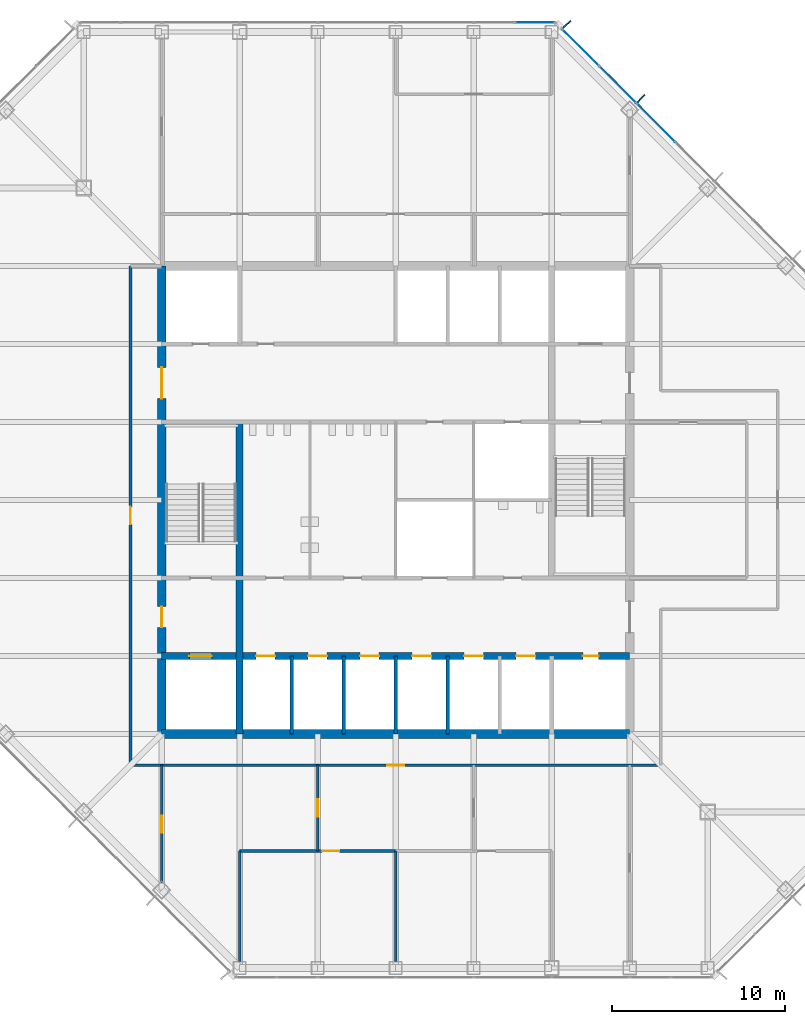
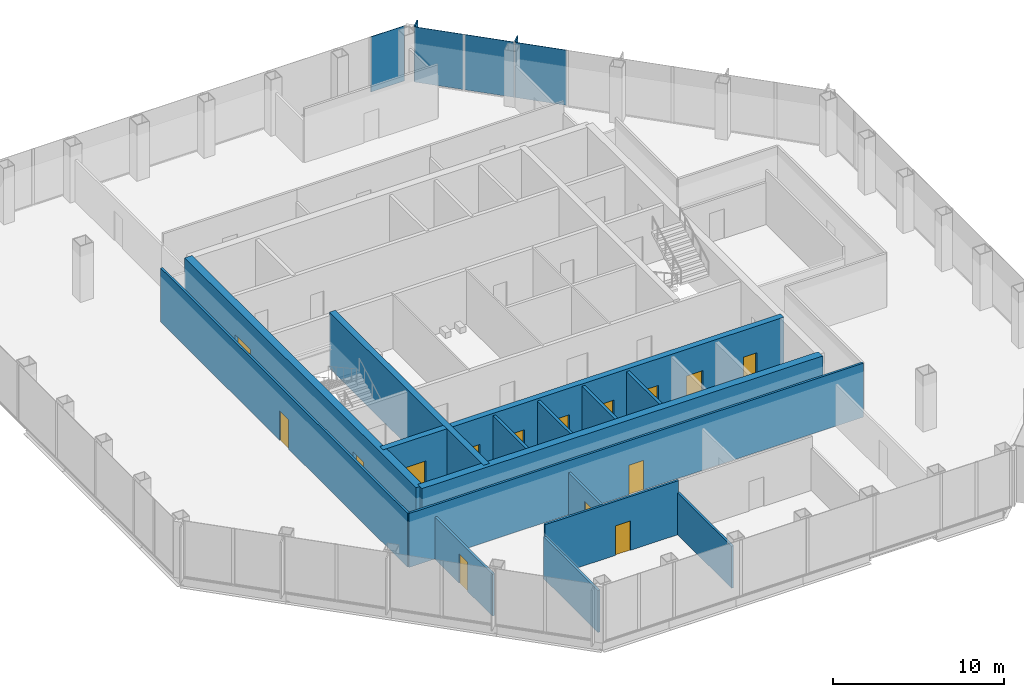
# One storey, part 8 of 12: 15 doors, 15 walls, 6 plates, 15 openings, 2 elements without a shape of their own.
"""IFC4 building model written with IfcOpenShell, lengths in metres."""

from ifc_helpers import new_model, si_unit, direction, frame, frame_2d, origin, origin_2d, place, context, subcontext, project, spatial, rectangle, extrude, material, layer, layer_set, type_object, element, fill, aggregate, save


model = new_model("IFC4")

# Units and contexts
model_context = context("Model", 3, precision=1e-05, world=origin(), true_north=direction((0.0, 1.0)))
body_context = subcontext(model_context, "Body", "Model", "MODEL_VIEW")
ifc_project = project(units=[si_unit("LENGTHUNIT", "METRE"), si_unit("AREAUNIT", "SQUARE_METRE"), si_unit("VOLUMEUNIT", "CUBIC_METRE"), si_unit("PLANEANGLEUNIT", "RADIAN"), si_unit("MASSUNIT", "GRAM", prefix="KILO")], contexts=[model_context])

# Site, building, storey
site_placement = place(None, origin())
site = spatial("IfcSite", under=ifc_project, at=site_placement, CompositionType="ELEMENT")
building_placement = place(site_placement, origin())
building = spatial("IfcBuilding", under=site, at=building_placement, Name="Corais Broadcast Tower", CompositionType="ELEMENT")
storey_placement = place(building_placement, frame((0.0, 0.0, 187.60009765625)))
storey = spatial("IfcBuildingStorey", under=building, at=storey_placement, Name="L43", CompositionType="ELEMENT", Elevation=187.60009765625)

# Curtain wall, plates
ifc_material_1 = material(Name="Aluminium and glass", Category="aluminium")
curtain_wall_type = type_object("IfcCurtainWallType", Name="Unitised fritted curtain wall CW2", PredefinedType="NOTDEFINED", material=ifc_material_1)
curtain_wall_1_placement = place(storey_placement, origin())
curtain_wall_1 = element("IfcCurtainWall", 1, at=curtain_wall_1_placement, inside=storey, type_object=curtain_wall_type, Name="CW2 curtain wall L43 5", PredefinedType="NOTDEFINED")
ifc_material_2 = material(Name="Ceramic-fritted laminated glass", Category="glass")
ifc_layer_1 = layer(ifc_material_2, 0.028076171875)
ifc_layer_set_1 = layer_set([ifc_layer_1], Name="Ceramic-fritted laminated glass")
plate_type_1 = type_object("IfcPlateType", Name="Fritted glass panel CW2", PredefinedType="CURTAIN_PANEL", material=ifc_layer_set_1)
plate_1_placement = place(storey_placement, frame((37.669677734375, 53.108154296875, 0.06494140625), z_axis=(0.0, 0.0, 1.0), x_axis=(0.707106781187, -0.707106781187, 0.0)))
plate_1 = element("IfcPlate", 2, at=plate_1_placement, type_object=plate_type_1, Name="CW2 panel 1", PredefinedType="CURTAIN_PANEL", context=body_context, shape_type="SweptSolid", body=[
    extrude(rectangle(XDim=2.9482421875, YDim=0.028076171875, at=origin_2d()), origin(), (0.0, 0.0, 1.0), 3.93505859375),
])
plate_2_placement = place(storey_placement, frame((42.013916015625, 48.763916015625, 0.06494140625), z_axis=(0.0, 0.0, 1.0), x_axis=(0.707106781187, -0.707106781187, 0.0)))
plate_2 = element("IfcPlate", 3, at=plate_2_placement, type_object=plate_type_1, Name="CW2 panel 3", PredefinedType="CURTAIN_PANEL", context=body_context, shape_type="SweptSolid", body=[
    extrude(rectangle(XDim=3.116943359375, YDim=0.028076171875, at=origin_2d()), origin(), (0.0, 0.0, 1.0), 3.93505859375),
])

# Curtain wall, plate
curtain_wall_2_placement = place(storey_placement, origin())
curtain_wall_2 = element("IfcCurtainWall", 4, at=curtain_wall_2_placement, inside=storey, type_object=curtain_wall_type, Name="CW2 curtain wall L43 4", PredefinedType="NOTDEFINED")
ifc_material_3 = material(Name="Clear laminated glass", Category="glass")
ifc_layer_2 = layer(ifc_material_3, 0.031982421875)
ifc_layer_set_2 = layer_set([ifc_layer_2], Name="Clear laminated glass")
plate_type_2 = type_object("IfcPlateType", Name="Operable glass panel CW2", PredefinedType="CURTAIN_PANEL", material=ifc_layer_set_2)
plate_3_placement = place(storey_placement, frame((35.029541015625, 54.550048828125, 0.06494140625), z_axis=(0.0, 0.0, 1.0), x_axis=(1.0, 0.0, 0.0)))
plate_3 = element("IfcPlate", 5, at=plate_3_placement, type_object=plate_type_2, Name="CW2 operable panel 8", PredefinedType="CURTAIN_PANEL", context=body_context, shape_type="SweptSolid", body=[
    extrude(rectangle(XDim=2.266357421875, YDim=0.031982421875, at=origin_2d()), origin(), (0.0, 0.0, 1.0), 3.93505859375),
])
aggregate(curtain_wall_2, [plate_3])

# Plate
plate_4_placement = place(storey_placement, frame((39.81201171875, 50.9658203125, 0.06494140625), z_axis=(0.0, 0.0, 1.0), x_axis=(0.707106781187, -0.707106781187, 0.0)))
plate_4 = element("IfcPlate", 6, at=plate_4_placement, type_object=plate_type_2, Name="CW2 operable panel 2", PredefinedType="CURTAIN_PANEL", context=body_context, shape_type="SweptSolid", body=[
    extrude(rectangle(XDim=2.98095703125, YDim=0.031982421875, at=origin_2d()), origin(), (0.0, 0.0, 1.0), 3.93505859375),
])

aggregate(curtain_wall_1, [plate_1, plate_4, plate_2])

# Plates
ifc_material_4 = material(Name="Granite stone cladding", Category="masonry")
ifc_layer_3 = layer(ifc_material_4, 0.080078125)
ifc_layer_set_3 = layer_set([ifc_layer_3], Name="Granite stone cladding")
plate_type_3 = type_object("IfcPlateType", Name="Stone screen fin 80x600", PredefinedType="USERDEFINED", material=ifc_layer_set_3)
for number, where, z_axis, x_axis, name in (
    (7, (36.8779296875, 54.447021484375, 0.0), (0.0, 0.0, 1.0), (0.707106781187, -0.707106781187, 0.0), "SF1 stone screen fin L43"),
    (8, (41.16259765625, 50.16259765625, 0.0), (0.0, 0.0, 1.0), (0.707106781187, -0.707106781187, 0.0), "SF1 stone screen fin L43"),
):
    element("IfcPlate", number, at=place(storey_placement, frame(where, z_axis=z_axis, x_axis=x_axis)), inside=storey, type_object=plate_type_3, Name=name, ObjectType="STONE SCREEN FIN", PredefinedType="USERDEFINED", context=body_context, shape_type="SweptSolid", body=[
        extrude(rectangle(XDim=0.080078125, YDim=0.60009765625, at=origin_2d()), origin(), (0.0, 0.0, 1.0), 4.0),
    ])

# Wall
ifc_material_5 = material(Name="Concrete C50/60", Category="concrete")
ifc_layer_4 = layer(ifc_material_5, 0.39990234375)
ifc_layer_set_4 = layer_set([ifc_layer_4], Name="Concrete C50/60")
wall_type_1 = type_object("IfcWallType", Name="Core wall 400", PredefinedType="SHEAR", material=ifc_layer_set_4)
wall_1_placement = place(storey_placement, frame((18.0, 13.5, 0.0), z_axis=(0.0, 0.0, 1.0), x_axis=(0.0, 1.0, 0.0)))
element("IfcWall", 9, at=wall_1_placement, inside=storey, type_object=wall_type_1, Name="CR400 core wall X18A L43", PredefinedType="SHEAR", context=body_context, shape_type="SweptSolid", body=[
    extrude(rectangle(XDim=18.0, YDim=0.39990234375, at=frame_2d((9.0, 0.0))), origin(), (0.0, 0.0, 1.0), 4.0),
])

# Wall, openings, doors
wall_2_placement = place(storey_placement, frame((13.5, 18.0, 0.0), z_axis=(0.0, 0.0, 1.0), x_axis=(1.0, 0.0, 0.0)))
wall_2 = element("IfcWall", 10, at=wall_2_placement, inside=storey, type_object=wall_type_1, Name="CR400 core wall Y18 L43", PredefinedType="SHEAR", context=body_context, shape_type="SweptSolid", body=[
    extrude(rectangle(XDim=27.0, YDim=0.39990234375, at=frame_2d((13.5, 0.0))), origin(), (0.0, 0.0, 1.0), 4.0),
])
opening_1_placement = place(wall_2_placement, frame((24.300048828125, 0.0, 0.0)))
opening_1 = element("IfcOpeningElement", 11, at=opening_1_placement, cuts=wall_2, Name="Opening RD1", PredefinedType="OPENING", context=body_context, shape_type="SweptSolid", body=[
    extrude(rectangle(XDim=0.89990234375, YDim=2.10009765625, at=frame_2d((0.449951171875, 1.050048828125))), frame((0.0, 0.2099609375, 0.0), z_axis=(0.0, -1.0, 0.0), x_axis=(1.0, 0.0, 0.0)), (0.0, 0.0, 1.0), 0.419921875),
])
opening_2_placement = place(wall_2_placement, frame((5.449951171875, 0.0, 0.0)))
opening_2 = element("IfcOpeningElement", 12, at=opening_2_placement, cuts=wall_2, Name="Opening LD1", PredefinedType="OPENING", context=body_context, shape_type="SweptSolid", body=[
    extrude(rectangle(XDim=1.10009765625, YDim=2.10009765625, at=frame_2d((0.550048828125, 1.050048828125))), frame((0.0, 0.2099609375, 0.0), z_axis=(0.0, -1.0, 0.0), x_axis=(1.0, 0.0, 0.0)), (0.0, 0.0, 1.0), 0.419921875),
])
opening_3_placement = place(wall_2_placement, frame((8.449951171875, 0.0, 0.0)))
opening_3 = element("IfcOpeningElement", 13, at=opening_3_placement, cuts=wall_2, Name="Opening LD1", PredefinedType="OPENING", context=body_context, shape_type="SweptSolid", body=[
    extrude(rectangle(XDim=1.10009765625, YDim=2.10009765625, at=frame_2d((0.550048828125, 1.050048828125))), frame((0.0, 0.2099609375, 0.0), z_axis=(0.0, -1.0, 0.0), x_axis=(1.0, 0.0, 0.0)), (0.0, 0.0, 1.0), 0.419921875),
])
opening_4_placement = place(wall_2_placement, frame((11.449951171875, 0.0, 0.0)))
opening_4 = element("IfcOpeningElement", 14, at=opening_4_placement, cuts=wall_2, Name="Opening LD1", PredefinedType="OPENING", context=body_context, shape_type="SweptSolid", body=[
    extrude(rectangle(XDim=1.10009765625, YDim=2.10009765625, at=frame_2d((0.550048828125, 1.050048828125))), frame((0.0, 0.2099609375, 0.0), z_axis=(0.0, -1.0, 0.0), x_axis=(1.0, 0.0, 0.0)), (0.0, 0.0, 1.0), 0.419921875),
])
opening_5_placement = place(wall_2_placement, frame((14.449951171875, 0.0, 0.0)))
opening_5 = element("IfcOpeningElement", 15, at=opening_5_placement, cuts=wall_2, Name="Opening LD1", PredefinedType="OPENING", context=body_context, shape_type="SweptSolid", body=[
    extrude(rectangle(XDim=1.10009765625, YDim=2.10009765625, at=frame_2d((0.550048828125, 1.050048828125))), frame((0.0, 0.2099609375, 0.0), z_axis=(0.0, -1.0, 0.0), x_axis=(1.0, 0.0, 0.0)), (0.0, 0.0, 1.0), 0.419921875),
])
opening_6_placement = place(wall_2_placement, frame((17.449951171875, 0.0, 0.0)))
opening_6 = element("IfcOpeningElement", 16, at=opening_6_placement, cuts=wall_2, Name="Opening LD1", PredefinedType="OPENING", context=body_context, shape_type="SweptSolid", body=[
    extrude(rectangle(XDim=1.10009765625, YDim=2.10009765625, at=frame_2d((0.550048828125, 1.050048828125))), frame((0.0, 0.2099609375, 0.0), z_axis=(0.0, -1.0, 0.0), x_axis=(1.0, 0.0, 0.0)), (0.0, 0.0, 1.0), 0.419921875),
])
opening_7_placement = place(wall_2_placement, frame((20.449951171875, 0.0, 0.0)))
opening_7 = element("IfcOpeningElement", 17, at=opening_7_placement, cuts=wall_2, Name="Opening LD1", PredefinedType="OPENING", context=body_context, shape_type="SweptSolid", body=[
    extrude(rectangle(XDim=1.10009765625, YDim=2.10009765625, at=frame_2d((0.550048828125, 1.050048828125))), frame((0.0, 0.2099609375, 0.0), z_axis=(0.0, -1.0, 0.0), x_axis=(1.0, 0.0, 0.0)), (0.0, 0.0, 1.0), 0.419921875),
])
opening_8_placement = place(wall_2_placement, frame((1.60009765625, 0.0, 0.0)))
opening_8 = element("IfcOpeningElement", 18, at=opening_8_placement, cuts=wall_2, Name="Opening LD2", PredefinedType="OPENING", context=body_context, shape_type="SweptSolid", body=[
    extrude(rectangle(XDim=1.300048828125, YDim=2.199951171875, at=frame_2d((0.64990234375, 1.10009765625))), frame((0.0, 0.2099609375, 0.0), z_axis=(0.0, -1.0, 0.0), x_axis=(1.0, 0.0, 0.0)), (0.0, 0.0, 1.0), 0.419921875),
])
ifc_material_6 = material(Name="Stainless steel lift door", Category="steel")
door_type_1 = type_object("IfcDoorType", Name="Lift landing door 1100x2100", OperationType="SLIDING_TO_LEFT", PredefinedType="DOOR", material=ifc_material_6)
door_1_placement = place(opening_2_placement, origin())
door_1 = element("IfcDoor", 19, at=door_1_placement, inside=storey, type_object=door_type_1, Name="LD1 PM1 landing door L43", OperationType="SLIDING_TO_LEFT", OverallHeight=2.10009765625, OverallWidth=1.10009765625, PredefinedType="DOOR", context=body_context, shape_type="SweptSolid", body=[
    extrude(rectangle(XDim=1.10009765625, YDim=2.10009765625, at=frame_2d((0.550048828125, 1.050048828125))), frame((0.0, 0.02490234375, 0.0), z_axis=(0.0, -1.0, 0.0), x_axis=(1.0, 0.0, 0.0)), (0.0, 0.0, 1.0), 0.050048828125),
])
fill(opening_2, door_1)
door_2_placement = place(opening_3_placement, origin())
door_2 = element("IfcDoor", 20, at=door_2_placement, inside=storey, type_object=door_type_1, Name="LD1 PM2 landing door L43", OperationType="SLIDING_TO_LEFT", OverallHeight=2.10009765625, OverallWidth=1.10009765625, PredefinedType="DOOR", context=body_context, shape_type="SweptSolid", body=[
    extrude(rectangle(XDim=1.10009765625, YDim=2.10009765625, at=frame_2d((0.550048828125, 1.050048828125))), frame((0.0, 0.02490234375, 0.0), z_axis=(0.0, -1.0, 0.0), x_axis=(1.0, 0.0, 0.0)), (0.0, 0.0, 1.0), 0.050048828125),
])
fill(opening_3, door_2)
door_3_placement = place(opening_4_placement, origin())
door_3 = element("IfcDoor", 21, at=door_3_placement, inside=storey, type_object=door_type_1, Name="LD1 PM3 landing door L43", OperationType="SLIDING_TO_LEFT", OverallHeight=2.10009765625, OverallWidth=1.10009765625, PredefinedType="DOOR", context=body_context, shape_type="SweptSolid", body=[
    extrude(rectangle(XDim=1.10009765625, YDim=2.10009765625, at=frame_2d((0.550048828125, 1.050048828125))), frame((0.0, 0.02490234375, 0.0), z_axis=(0.0, -1.0, 0.0), x_axis=(1.0, 0.0, 0.0)), (0.0, 0.0, 1.0), 0.050048828125),
])
fill(opening_4, door_3)
door_4_placement = place(opening_5_placement, origin())
door_4 = element("IfcDoor", 22, at=door_4_placement, inside=storey, type_object=door_type_1, Name="LD1 PM4 landing door L43", OperationType="SLIDING_TO_LEFT", OverallHeight=2.10009765625, OverallWidth=1.10009765625, PredefinedType="DOOR", context=body_context, shape_type="SweptSolid", body=[
    extrude(rectangle(XDim=1.10009765625, YDim=2.10009765625, at=frame_2d((0.550048828125, 1.050048828125))), frame((0.0, 0.02490234375, 0.0), z_axis=(0.0, -1.0, 0.0), x_axis=(1.0, 0.0, 0.0)), (0.0, 0.0, 1.0), 0.050048828125),
])
fill(opening_5, door_4)
door_5_placement = place(opening_6_placement, origin())
door_5 = element("IfcDoor", 23, at=door_5_placement, inside=storey, type_object=door_type_1, Name="LD1 PM5 landing door L43", OperationType="SLIDING_TO_LEFT", OverallHeight=2.10009765625, OverallWidth=1.10009765625, PredefinedType="DOOR", context=body_context, shape_type="SweptSolid", body=[
    extrude(rectangle(XDim=1.10009765625, YDim=2.10009765625, at=frame_2d((0.550048828125, 1.050048828125))), frame((0.0, 0.02490234375, 0.0), z_axis=(0.0, -1.0, 0.0), x_axis=(1.0, 0.0, 0.0)), (0.0, 0.0, 1.0), 0.050048828125),
])
fill(opening_6, door_5)
door_6_placement = place(opening_7_placement, origin())
door_6 = element("IfcDoor", 24, at=door_6_placement, inside=storey, type_object=door_type_1, Name="LD1 PM6 landing door L43", OperationType="SLIDING_TO_LEFT", OverallHeight=2.10009765625, OverallWidth=1.10009765625, PredefinedType="DOOR", context=body_context, shape_type="SweptSolid", body=[
    extrude(rectangle(XDim=1.10009765625, YDim=2.10009765625, at=frame_2d((0.550048828125, 1.050048828125))), frame((0.0, 0.02490234375, 0.0), z_axis=(0.0, -1.0, 0.0), x_axis=(1.0, 0.0, 0.0)), (0.0, 0.0, 1.0), 0.050048828125),
])
fill(opening_7, door_6)
ifc_material_7 = material(Name="Stainless steel lift door", Category="steel")
door_type_2 = type_object("IfcDoorType", Name="Lift landing door 1300x2200", OperationType="SLIDING_TO_LEFT", PredefinedType="DOOR", material=ifc_material_7)
door_7_placement = place(opening_8_placement, origin())
door_7 = element("IfcDoor", 25, at=door_7_placement, inside=storey, type_object=door_type_2, Name="LD2 FL1 landing door L43", OperationType="SLIDING_TO_LEFT", OverallHeight=2.199951171875, OverallWidth=1.300048828125, PredefinedType="DOOR", context=body_context, shape_type="SweptSolid", body=[
    extrude(rectangle(XDim=1.300048828125, YDim=2.199951171875, at=frame_2d((0.64990234375, 1.10009765625))), frame((0.0, 0.02490234375, 0.0), z_axis=(0.0, -1.0, 0.0), x_axis=(1.0, 0.0, 0.0)), (0.0, 0.0, 1.0), 0.050048828125),
])
fill(opening_8, door_7)
ifc_material_8 = material(Name="Steel fire door", Category="steel")
door_type_3 = type_object("IfcDoorType", Name="Riser door 900x2100", OperationType="SINGLE_SWING_LEFT", PredefinedType="DOOR", material=ifc_material_8)
door_8_placement = place(opening_1_placement, origin())
door_8 = element("IfcDoor", 26, at=door_8_placement, inside=storey, type_object=door_type_3, Name="RD1 riser door L43", OperationType="SINGLE_SWING_RIGHT", OverallHeight=2.10009765625, OverallWidth=0.89990234375, PredefinedType="DOOR", context=body_context, shape_type="SweptSolid", body=[
    extrude(rectangle(XDim=0.89990234375, YDim=2.10009765625, at=frame_2d((0.449951171875, 1.050048828125))), frame((0.0, 0.02490234375, 0.0), z_axis=(0.0, -1.0, 0.0), x_axis=(1.0, 0.0, 0.0)), (0.0, 0.0, 1.0), 0.050048828125),
])
fill(opening_1, door_8)

# Wall
ifc_material_9 = material(Name="Concrete C50/60", Category="concrete")
ifc_layer_5 = layer(ifc_material_9, 0.5)
ifc_layer_set_5 = layer_set([ifc_layer_5], Name="Concrete C50/60")
wall_type_2 = type_object("IfcWallType", Name="Core wall 500", PredefinedType="SHEAR", material=ifc_layer_set_5)
wall_3_placement = place(storey_placement, frame((13.5, 13.5, 0.0), z_axis=(0.0, 0.0, 1.0), x_axis=(1.0, 0.0, 0.0)))
element("IfcWall", 27, at=wall_3_placement, inside=storey, type_object=wall_type_2, Name="CR500 core wall S L43", PredefinedType="SHEAR", context=body_context, shape_type="SweptSolid", body=[
    extrude(rectangle(XDim=27.0, YDim=0.5, at=frame_2d((13.5, 0.0))), origin(), (0.0, 0.0, 1.0), 4.0),
])

# Wall, openings, doors
wall_4_placement = place(storey_placement, frame((13.5, 40.5, 0.0), z_axis=(0.0, 0.0, 1.0), x_axis=(0.0, -1.0, 0.0)))
wall_4 = element("IfcWall", 28, at=wall_4_placement, inside=storey, type_object=wall_type_2, Name="CR500 core wall W L43", PredefinedType="SHEAR", context=body_context, shape_type="SweptSolid", body=[
    extrude(rectangle(XDim=27.0, YDim=0.5, at=frame_2d((13.5, 0.0))), origin(), (0.0, 0.0, 1.0), 4.0),
])
opening_9_placement = place(wall_4_placement, frame((19.64990234375, 0.0, 0.0)))
opening_9 = element("IfcOpeningElement", 29, at=opening_9_placement, cuts=wall_4, Name="Opening FD1", PredefinedType="OPENING", context=body_context, shape_type="SweptSolid", body=[
    extrude(rectangle(XDim=1.199951171875, YDim=2.10009765625, at=frame_2d((0.60009765625, 1.050048828125))), frame((0.0, 0.260009765625, 0.0), z_axis=(0.0, -1.0, 0.0), x_axis=(1.0, 0.0, 0.0)), (0.0, 0.0, 1.0), 0.52001953125),
])
opening_10_placement = place(wall_4_placement, frame((5.85009765625, 0.0, 0.0)))
opening_10 = element("IfcOpeningElement", 30, at=opening_10_placement, cuts=wall_4, Name="Opening FD2", PredefinedType="OPENING", context=body_context, shape_type="SweptSolid", body=[
    extrude(rectangle(XDim=1.800048828125, YDim=2.10009765625, at=frame_2d((0.89990234375, 1.050048828125))), frame((0.0, 0.260009765625, 0.0), z_axis=(0.0, -1.0, 0.0), x_axis=(1.0, 0.0, 0.0)), (0.0, 0.0, 1.0), 0.52001953125),
])
ifc_material_10 = material(Name="Steel fire door", Category="steel")
door_type_4 = type_object("IfcDoorType", Name="Fire door 1200x2100", OperationType="SINGLE_SWING_LEFT", PredefinedType="DOOR", material=ifc_material_10)
door_9_placement = place(opening_9_placement, origin())
door_9 = element("IfcDoor", 31, at=door_9_placement, inside=storey, type_object=door_type_4, Name="FD1 fire lobby A door L43", OperationType="SINGLE_SWING_RIGHT", OverallHeight=2.10009765625, OverallWidth=1.199951171875, PredefinedType="DOOR", context=body_context, shape_type="SweptSolid", body=[
    extrude(rectangle(XDim=1.199951171875, YDim=2.10009765625, at=frame_2d((0.60009765625, 1.050048828125))), frame((0.0, 0.02490234375, 0.0), z_axis=(0.0, -1.0, 0.0), x_axis=(1.0, 0.0, 0.0)), (0.0, 0.0, 1.0), 0.050048828125),
])
fill(opening_9, door_9)
ifc_material_11 = material(Name="Steel fire door", Category="steel")
door_type_5 = type_object("IfcDoorType", Name="Fire door pair 1800x2100", OperationType="DOUBLE_DOOR_SINGLE_SWING", PredefinedType="DOOR", material=ifc_material_11)
door_10_placement = place(opening_10_placement, origin())
door_10 = element("IfcDoor", 32, at=door_10_placement, inside=storey, type_object=door_type_5, Name="FD2 lift lobby door L43", OperationType="SINGLE_SWING_LEFT", OverallHeight=2.10009765625, OverallWidth=1.800048828125, PredefinedType="DOOR", context=body_context, shape_type="SweptSolid", body=[
    extrude(rectangle(XDim=1.800048828125, YDim=2.10009765625, at=frame_2d((0.89990234375, 1.050048828125))), frame((0.0, 0.02490234375, 0.0), z_axis=(0.0, -1.0, 0.0), x_axis=(1.0, 0.0, 0.0)), (0.0, 0.0, 1.0), 0.050048828125),
])
fill(opening_10, door_10)

# Wall, opening, door
ifc_material_12 = material(Name="Gypsum board on steel studs", Category="steel")
ifc_layer_6 = layer(ifc_material_12, 0.14990234375)
ifc_layer_set_6 = layer_set([ifc_layer_6], Name="Gypsum board on steel studs")
wall_type_3 = type_object("IfcWallType", Name="Partition 150", PredefinedType="PARTITIONING", material=ifc_layer_set_6)
wall_5_placement = place(storey_placement, frame((11.699951171875, 11.699951171875, 0.0), z_axis=(0.0, 0.0, 1.0), x_axis=(1.0, 0.0, 0.0)))
wall_5 = element("IfcWall", 33, at=wall_5_placement, inside=storey, type_object=wall_type_3, Name="IW3 corridor wall L43", PredefinedType="PARTITIONING", context=body_context, shape_type="SweptSolid", body=[
    extrude(rectangle(XDim=30.60009765625, YDim=0.14990234375, at=frame_2d((15.300048828125, 0.0))), origin(), (0.0, 0.0, 1.0), 3.83984375),
])
opening_11_placement = place(wall_5_placement, frame((14.800048828125, 0.0, 0.0)))
opening_11 = element("IfcOpeningElement", 34, at=opening_11_placement, cuts=wall_5, Name="Opening D1", PredefinedType="OPENING", context=body_context, shape_type="SweptSolid", body=[
    extrude(rectangle(XDim=1.0, YDim=2.10009765625, at=frame_2d((0.5, 1.050048828125))), frame((0.0, 0.0849609375, 0.0), z_axis=(0.0, -1.0, 0.0), x_axis=(1.0, 0.0, 0.0)), (0.0, 0.0, 1.0), 0.169921875),
])
ifc_material_13 = material(Name="Timber door", Category="wood")
door_type_6 = type_object("IfcDoorType", Name="Single door 1000x2100", OperationType="SINGLE_SWING_LEFT", PredefinedType="DOOR", material=ifc_material_13)
door_11_placement = place(opening_11_placement, origin())
door_11 = element("IfcDoor", 35, at=door_11_placement, inside=storey, type_object=door_type_6, Name="D1 workplace door L43", OperationType="SINGLE_SWING_LEFT", OverallHeight=2.10009765625, OverallWidth=1.0, PredefinedType="DOOR", context=body_context, shape_type="SweptSolid", body=[
    extrude(rectangle(XDim=1.0, YDim=2.10009765625, at=frame_2d((0.5, 1.050048828125))), frame((0.0, 0.02490234375, 0.0), z_axis=(0.0, -1.0, 0.0), x_axis=(1.0, 0.0, 0.0)), (0.0, 0.0, 1.0), 0.050048828125),
])
fill(opening_11, door_11)

wall_6_placement = place(storey_placement, frame((11.699951171875, 40.5, 0.0), z_axis=(0.0, 0.0, 1.0), x_axis=(0.0, -1.0, 0.0)))
wall_6 = element("IfcWall", 36, at=wall_6_placement, inside=storey, type_object=wall_type_3, Name="IW3 corridor wall L43", PredefinedType="PARTITIONING", context=body_context, shape_type="SweptSolid", body=[
    extrude(rectangle(XDim=28.800048828125, YDim=0.14990234375, at=frame_2d((14.39990234375, 0.0))), origin(), (0.0, 0.0, 1.0), 3.83984375),
])
opening_12_placement = place(wall_6_placement, frame((13.89990234375, 0.0, 0.0)))
opening_12 = element("IfcOpeningElement", 37, at=opening_12_placement, cuts=wall_6, Name="Opening D1", PredefinedType="OPENING", context=body_context, shape_type="SweptSolid", body=[
    extrude(rectangle(XDim=1.0, YDim=2.10009765625, at=frame_2d((0.5, 1.050048828125))), frame((0.0, 0.0849609375, 0.0), z_axis=(0.0, -1.0, 0.0), x_axis=(1.0, 0.0, 0.0)), (0.0, 0.0, 1.0), 0.169921875),
])
door_12_placement = place(opening_12_placement, origin())
door_12 = element("IfcDoor", 38, at=door_12_placement, inside=storey, type_object=door_type_6, Name="D1 workplace door L43", OperationType="SINGLE_SWING_LEFT", OverallHeight=2.10009765625, OverallWidth=1.0, PredefinedType="DOOR", context=body_context, shape_type="SweptSolid", body=[
    extrude(rectangle(XDim=1.0, YDim=2.10009765625, at=frame_2d((0.5, 1.050048828125))), frame((0.0, 0.02490234375, 0.0), z_axis=(0.0, -1.0, 0.0), x_axis=(1.0, 0.0, 0.0)), (0.0, 0.0, 1.0), 0.050048828125),
])
fill(opening_12, door_12)

# Wall
wall_7_placement = place(storey_placement, frame((27.0, 0.385009765625, 0.0), z_axis=(0.0, 0.0, 1.0), x_axis=(0.0, 1.0, 0.0)))
element("IfcWall", 39, at=wall_7_placement, inside=storey, type_object=wall_type_3, Name="IW3 partition L43", PredefinedType="PARTITIONING", context=body_context, shape_type="SweptSolid", body=[
    extrude(rectangle(XDim=6.364990234375, YDim=0.14990234375, at=frame_2d((3.1826171875, 0.0))), origin(), (0.0, 0.0, 1.0), 2.989013671875),
])

# Wall, opening, door
wall_8_placement = place(storey_placement, frame((27.0, 6.75, 0.0), z_axis=(0.0, 0.0, 1.0), x_axis=(-1.0, 0.0, 0.0)))
wall_8 = element("IfcWall", 40, at=wall_8_placement, inside=storey, type_object=wall_type_3, Name="IW3 partition L43", PredefinedType="PARTITIONING", context=body_context, shape_type="SweptSolid", body=[
    extrude(rectangle(XDim=9.0, YDim=0.14990234375, at=frame_2d((4.5, 0.0))), origin(), (0.0, 0.0, 1.0), 3.83984375),
])
opening_13_placement = place(wall_8_placement, frame((3.25, 0.0, 0.0)))
opening_13 = element("IfcOpeningElement", 41, at=opening_13_placement, cuts=wall_8, Name="Opening D1", PredefinedType="OPENING", context=body_context, shape_type="SweptSolid", body=[
    extrude(rectangle(XDim=1.0, YDim=2.10009765625, at=frame_2d((0.5, 1.050048828125))), frame((0.0, 0.0849609375, 0.0), z_axis=(0.0, -1.0, 0.0), x_axis=(1.0, 0.0, 0.0)), (0.0, 0.0, 1.0), 0.169921875),
])
door_13_placement = place(opening_13_placement, origin())
door_13 = element("IfcDoor", 42, at=door_13_placement, inside=storey, type_object=door_type_6, Name="D1 Team office door", OperationType="SINGLE_SWING_LEFT", OverallHeight=2.10009765625, OverallWidth=1.0, PredefinedType="DOOR", context=body_context, shape_type="SweptSolid", body=[
    extrude(rectangle(XDim=1.0, YDim=2.10009765625, at=frame_2d((0.5, 1.050048828125))), frame((0.0, 0.02490234375, 0.0), z_axis=(0.0, -1.0, 0.0), x_axis=(1.0, 0.0, 0.0)), (0.0, 0.0, 1.0), 0.050048828125),
])
fill(opening_13, door_13)

# Wall
wall_9_placement = place(storey_placement, frame((18.0, 6.75, 0.0), z_axis=(0.0, 0.0, 1.0), x_axis=(0.0, -1.0, 0.0)))
element("IfcWall", 43, at=wall_9_placement, inside=storey, type_object=wall_type_3, Name="IW3 partition L43", PredefinedType="PARTITIONING", context=body_context, shape_type="SweptSolid", body=[
    extrude(rectangle(XDim=6.364990234375, YDim=0.14990234375, at=frame_2d((3.1826171875, 0.0))), origin(), (0.0, 0.0, 1.0), 2.989013671875),
])

# Wall, opening, door
wall_10_placement = place(storey_placement, frame((13.5, 11.699951171875, 0.0), z_axis=(0.0, 0.0, 1.0), x_axis=(0.0, -1.0, 0.0)))
wall_10 = element("IfcWall", 44, at=wall_10_placement, inside=storey, type_object=wall_type_3, Name="IW3 partition L43", PredefinedType="PARTITIONING", context=body_context, shape_type="SweptSolid", body=[
    extrude(rectangle(XDim=6.804931640625, YDim=0.14990234375, at=frame_2d((3.40234375, 0.0))), origin(), (0.0, 0.0, 1.0), 2.989013671875),
])
opening_14_placement = place(wall_10_placement, frame((2.902587890625, 0.0, 0.0)))
opening_14 = element("IfcOpeningElement", 45, at=opening_14_placement, cuts=wall_10, Name="Opening D1", PredefinedType="OPENING", context=body_context, shape_type="SweptSolid", body=[
    extrude(rectangle(XDim=1.0, YDim=2.10009765625, at=frame_2d((0.5, 1.050048828125))), frame((0.0, 0.0849609375, 0.0), z_axis=(0.0, -1.0, 0.0), x_axis=(1.0, 0.0, 0.0)), (0.0, 0.0, 1.0), 0.169921875),
])
door_14_placement = place(opening_14_placement, origin())
door_14 = element("IfcDoor", 46, at=door_14_placement, inside=storey, type_object=door_type_6, Name="D1 team room door L43", OperationType="SINGLE_SWING_LEFT", OverallHeight=2.10009765625, OverallWidth=1.0, PredefinedType="DOOR", context=body_context, shape_type="SweptSolid", body=[
    extrude(rectangle(XDim=1.0, YDim=2.10009765625, at=frame_2d((0.5, 1.050048828125))), frame((0.0, 0.02490234375, 0.0), z_axis=(0.0, -1.0, 0.0), x_axis=(1.0, 0.0, 0.0)), (0.0, 0.0, 1.0), 0.050048828125),
])
fill(opening_14, door_14)

wall_11_placement = place(storey_placement, frame((22.5, 11.699951171875, 0.0), z_axis=(0.0, 0.0, 1.0), x_axis=(0.0, -1.0, 0.0)))
wall_11 = element("IfcWall", 47, at=wall_11_placement, inside=storey, type_object=wall_type_3, Name="IW3 partition L43", PredefinedType="PARTITIONING", context=body_context, shape_type="SweptSolid", body=[
    extrude(rectangle(XDim=4.949951171875, YDim=0.14990234375, at=frame_2d((2.47509765625, 0.0))), origin(), (0.0, 0.0, 1.0), 2.989013671875),
])
opening_15_placement = place(wall_11_placement, frame((1.97509765625, 0.0, 0.0)))
opening_15 = element("IfcOpeningElement", 48, at=opening_15_placement, cuts=wall_11, Name="Opening D1", PredefinedType="OPENING", context=body_context, shape_type="SweptSolid", body=[
    extrude(rectangle(XDim=1.0, YDim=2.10009765625, at=frame_2d((0.5, 1.050048828125))), frame((0.0, 0.0849609375, 0.0), z_axis=(0.0, -1.0, 0.0), x_axis=(1.0, 0.0, 0.0)), (0.0, 0.0, 1.0), 0.169921875),
])
door_15_placement = place(opening_15_placement, origin())
door_15 = element("IfcDoor", 49, at=door_15_placement, inside=storey, type_object=door_type_6, Name="D1 team room door L43", OperationType="SINGLE_SWING_LEFT", OverallHeight=2.10009765625, OverallWidth=1.0, PredefinedType="DOOR", context=body_context, shape_type="SweptSolid", body=[
    extrude(rectangle(XDim=1.0, YDim=2.10009765625, at=frame_2d((0.5, 1.050048828125))), frame((0.0, 0.02490234375, 0.0), z_axis=(0.0, -1.0, 0.0), x_axis=(1.0, 0.0, 0.0)), (0.0, 0.0, 1.0), 0.050048828125),
])
fill(opening_15, door_15)

# Walls
ifc_material_14 = material(Name="Concrete blockwork class A, grouted, two-hour", Category="masonry")
ifc_layer_7 = layer(ifc_material_14, 0.199951171875)
ifc_layer_set_7 = layer_set([ifc_layer_7], Name="Concrete blockwork class A, grouted, two-hour")
wall_type_4 = type_object("IfcWallType", Name="Shaft wall 200", PredefinedType="PARTITIONING", material=ifc_layer_set_7)
for number, where, z_axis, x_axis, name in (
    (50, (21.0, 13.5, 0.0), (0.0, 0.0, 1.0), (0.0, 1.0, 0.0), "IW1 shaft wall L43"),
    (51, (24.0, 13.5, 0.0), (0.0, 0.0, 1.0), (0.0, 1.0, 0.0), "IW1 shaft wall L43"),
    (52, (27.0, 13.5, 0.0), (0.0, 0.0, 1.0), (0.0, 1.0, 0.0), "IW1 shaft wall L43"),
    (53, (30.0, 13.5, 0.0), (0.0, 0.0, 1.0), (0.0, 1.0, 0.0), "IW1 shaft wall L43"),
):
    element("IfcWall", number, at=place(storey_placement, frame(where, z_axis=z_axis, x_axis=x_axis)), inside=storey, type_object=wall_type_4, Name=name, PredefinedType="PARTITIONING", context=body_context, shape_type="SweptSolid", body=[
        extrude(rectangle(XDim=4.5, YDim=0.199951171875, at=frame_2d((2.25, 0.0))), origin(), (0.0, 0.0, 1.0), 3.83984375),
    ])

save(model, "model.ifc")
